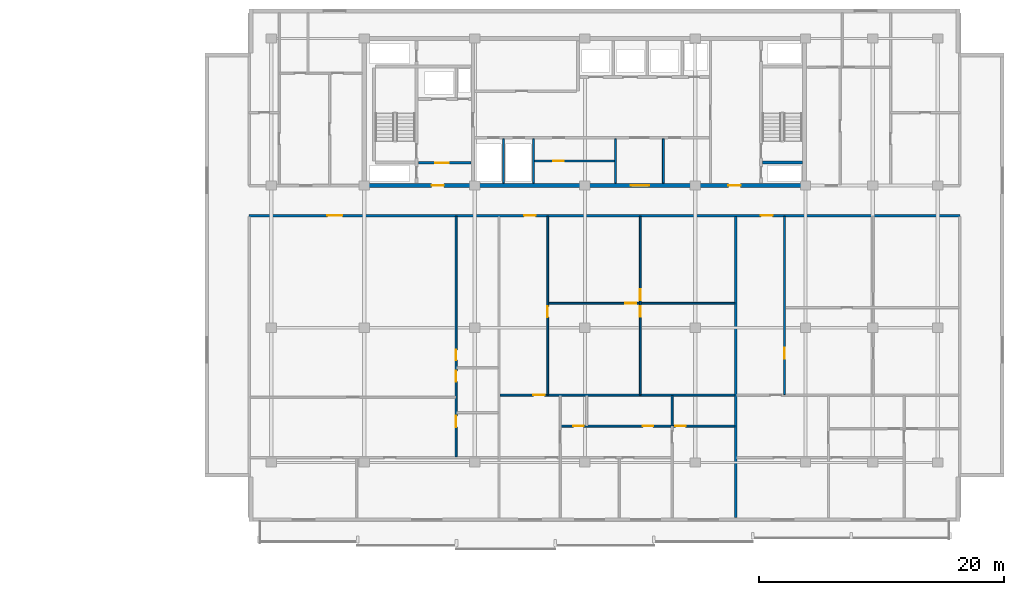
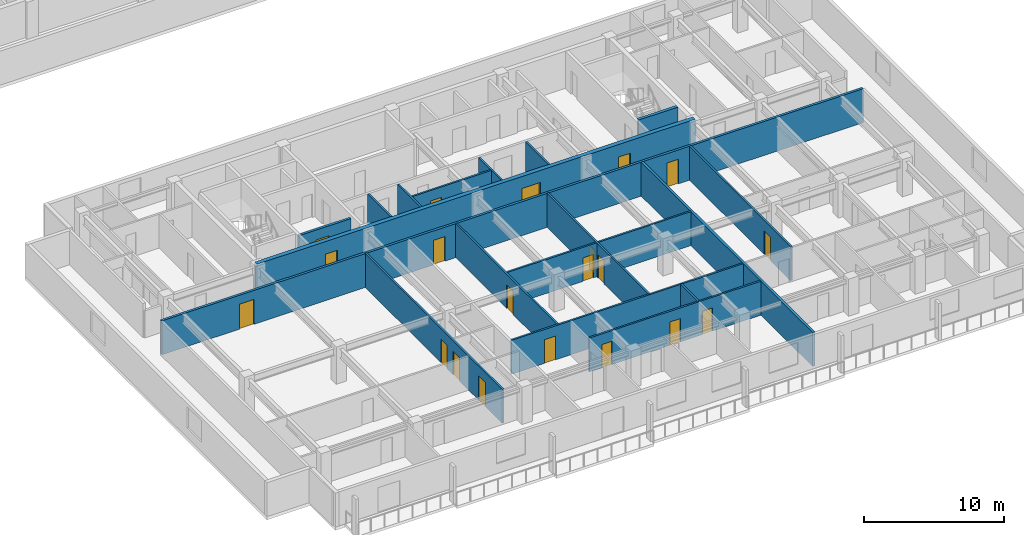
# One storey, part 5 of 21: 20 doors, 18 walls, 20 openings.
"""IFC4 building model written with IfcOpenShell, lengths in metres."""

import ifcopenshell
import ifcopenshell.guid

model = None  # the IFC model being written
_history = None  # IfcOwnerHistory: only IFC2X3 demands one
_inside = {}  # id of a spatial element -> (the spatial element, [elements in it])
_under = {}  # id of a project, library or spatial element -> (it, [spatial elements below it])
_declared = {}  # id of a project -> (the project, [libraries it declares])
_typed = {}  # id of a type object -> (the type object, [elements of that type])
_made_of = {}  # id of a material, layer set ... -> (it, [elements and type objects made of it])


def new_model(schema):
    """Start an empty IFC model of exactly this schema.

    Asked for "IFC4X3", IfcOpenShell would pick the latest addendum, in which some entities
    have other attributes; the version numbers below select the first issue.
    IFC2X3 requires an IfcOwnerHistory on every rooted entity: one is made here for all.
    """
    global model, _history
    if schema == "IFC4X3":
        model = ifcopenshell.file(schema_version=(4, 3, 0, 0))
    else:
        model = ifcopenshell.file(schema=schema)
    _inside.clear()
    _under.clear()
    _declared.clear()
    _typed.clear()
    _made_of.clear()
    _history = None
    if model.schema == "IFC2X3":
        org = make("IfcOrganization", Name="unknown")
        user = make(
            "IfcPersonAndOrganization",
            ThePerson=make("IfcPerson", FamilyName="unknown"),
            TheOrganization=org,
        )
        app = make(
            "IfcApplication",
            ApplicationDeveloper=org,
            Version="unknown",
            ApplicationFullName="unknown",
            ApplicationIdentifier="unknown",
        )
        _history = make(
            "IfcOwnerHistory",
            OwningUser=user,
            OwningApplication=app,
            ChangeAction="ADDED",
            CreationDate=0,
        )
    return model


def make(cls, **values):
    """One entity of the class cls with the attributes given. An attribute that is None is left unset."""
    return model.create_entity(
        cls, **{name: value for name, value in values.items() if value is not None}
    )


def rooted(cls, **values):
    """An entity with a GlobalId (a new one), such as an element, a storey or a relation."""
    return make(cls, GlobalId=ifcopenshell.guid.new(), OwnerHistory=_history, **values)


def si_unit(unit_type, name, prefix=None):
    """IfcSIUnit, for example si_unit("LENGTHUNIT", "METRE", prefix="MILLI")."""
    return make("IfcSIUnit", UnitType=unit_type, Prefix=prefix, Name=name)


def assignment(units):
    """IfcUnitAssignment: the units of a project."""
    return None if units is None else make("IfcUnitAssignment", Units=units)


def point(xyz):
    """IfcCartesianPoint."""
    return None if xyz is None else make("IfcCartesianPoint", Coordinates=xyz)


def direction(xyz):
    """IfcDirection."""
    return None if xyz is None else make("IfcDirection", DirectionRatios=xyz)


def frame(location, z_axis=None, x_axis=None):
    """IfcAxis2Placement3D, a coordinate frame: its origin and axes. An axis left out is left unset."""
    return make(
        "IfcAxis2Placement3D",
        Location=point(location),
        Axis=direction(z_axis),
        RefDirection=direction(x_axis),
    )


def frame_2d(location, x_axis=None):
    """IfcAxis2Placement2D, a coordinate frame in the plane: its origin and x axis."""
    return make(
        "IfcAxis2Placement2D", Location=point(location), RefDirection=direction(x_axis)
    )


def origin():
    """The frame at (0, 0, 0) with its axes left unset."""
    return frame((0.0, 0.0, 0.0))


def place(relative_to, where):
    """IfcLocalPlacement: puts the frame where relative to a parent placement (None: the world)."""
    return make(
        "IfcLocalPlacement", PlacementRelTo=relative_to, RelativePlacement=where
    )


def context(
    kind, dimensions, precision=None, world=None, true_north=None, identifier=None
):
    """IfcGeometricRepresentationContext, for example the 3D "Model" context."""
    return make(
        "IfcGeometricRepresentationContext",
        ContextIdentifier=identifier,
        ContextType=kind,
        CoordinateSpaceDimension=dimensions,
        Precision=precision,
        WorldCoordinateSystem=world,
        TrueNorth=true_north,
    )


def subcontext(parent, identifier, kind, view, scale=None):
    """IfcGeometricRepresentationSubContext, for example "Body" below "Model"."""
    return make(
        "IfcGeometricRepresentationSubContext",
        ContextIdentifier=identifier,
        ContextType=kind,
        ParentContext=parent,
        TargetScale=scale,
        TargetView=view,
    )


def project(units=None, contexts=None):
    """IfcProject with its units and contexts."""
    return rooted(
        "IfcProject",
        Name="project",
        RepresentationContexts=contexts,
        UnitsInContext=assignment(units),
    )


def spatial(cls, under=None, at=None, **own):
    """A site, building, storey or space (cls), placed at a placement, below another one or the project."""
    s = rooted(cls, ObjectPlacement=at, **own)
    if under is not None:
        _under.setdefault(under.id(), (under, []))[1].append(s)
    return s


def profile(cls, at=None, kind="AREA", **sizes):
    """A parametric profile (cls). Its sizes go by their IFC names, for example OverallWidth=200.0."""
    return make(cls, ProfileType=kind, Position=at, **sizes)


def rectangle(**sizes):
    """IfcRectangleProfileDef."""
    return profile("IfcRectangleProfileDef", **sizes)


def extrude(swept, where, along, depth):
    """IfcExtrudedAreaSolid: the profile swept, set in the frame where, extruded along a direction by depth."""
    return make(
        "IfcExtrudedAreaSolid",
        SweptArea=swept,
        Position=where,
        ExtrudedDirection=direction(along),
        Depth=depth,
    )


def shape(context_of_items, identifier, shape_type, items):
    """IfcShapeRepresentation: the items that make up one representation, for example the "Body"."""
    return make(
        "IfcShapeRepresentation",
        ContextOfItems=context_of_items,
        RepresentationIdentifier=identifier,
        RepresentationType=shape_type,
        Items=items,
    )


def material(Name=None, Category=None):
    """IfcMaterial."""
    return make("IfcMaterial", Name=Name, Category=Category)


def layer(
    of_material, thickness, ventilated=None, Name=None, Category=None, Priority=None
):
    """IfcMaterialLayer: one layer of a wall or slab, of a material (None: an air gap)."""
    return make(
        "IfcMaterialLayer",
        Material=of_material,
        LayerThickness=thickness,
        IsVentilated=ventilated,
        Name=Name,
        Category=Category,
        Priority=Priority,
    )


def layer_set(layers, Name=None):
    """IfcMaterialLayerSet."""
    return make("IfcMaterialLayerSet", MaterialLayers=layers, LayerSetName=Name)


def made_of(thing, what):
    """Note that an element or type object is made of a material, layer set ...; save() writes the relation."""
    if what is not None:
        _made_of.setdefault(what.id(), (what, []))[1].append(thing)
    return thing


def type_object(cls, material=None, **own):
    """A type object (cls), such as IfcWallType, which elements share."""
    return made_of(rooted(cls, **own), material)


def element(
    cls,
    number,
    at=None,
    inside=None,
    cuts=None,
    type_object=None,
    material=None,
    context=None,
    identifier="Body",
    shape_type=None,
    held_by="IfcProductDefinitionShape",
    body=None,
    shapes=None,
    **own,
):
    """One element of the class cls, such as IfcWall. Its Tag is "e" and its number.

    at: its placement. inside: the storey or other place that contains it. cuts: it is an
    opening in that element (IfcRelVoidsElement). A single representation is given by context,
    identifier, shape_type and body (its items); several are given by shapes. held_by: the class
    of the entity that holds the representations. save() writes the other relations.
    """
    e = rooted(cls, Tag="e%d" % number, ObjectPlacement=at, **own)
    if body is not None:
        shapes = [shape(context, identifier, shape_type, body)]
    if shapes is not None:
        e.Representation = make(held_by, Representations=shapes)
    if inside is not None:
        _inside.setdefault(inside.id(), (inside, []))[1].append(e)
    if cuts is not None:
        rooted(
            "IfcRelVoidsElement", RelatingBuildingElement=cuts, RelatedOpeningElement=e
        )
    if type_object is not None:
        _typed.setdefault(type_object.id(), (type_object, []))[1].append(e)
    return made_of(e, material)


def fill(opening, filler):
    """IfcRelFillsElement: the door or window that sits in an opening."""
    return rooted(
        "IfcRelFillsElement",
        RelatingOpeningElement=opening,
        RelatedBuildingElement=filler,
    )


def aggregate(whole, parts):
    """IfcRelAggregates: a whole, such as a stair, and the parts it consists of."""
    return rooted("IfcRelAggregates", RelatingObject=whole, RelatedObjects=parts)


def save(model, path):
    """Write the relations noted so far, then the file.

    IfcRelAggregates (storeys below a building ...), IfcRelContainedInSpatialStructure (elements
    in a storey), IfcRelDefinesByType, IfcRelAssociatesMaterial and IfcRelDeclares: one each for
    every whole, place, type object, material and project.
    """
    for whole, parts in _under.values():
        aggregate(whole, parts)
    for where, things in _inside.values():
        rooted(
            "IfcRelContainedInSpatialStructure",
            RelatedElements=things,
            RelatingStructure=where,
        )
    for kind, things in _typed.values():
        rooted("IfcRelDefinesByType", RelatedObjects=things, RelatingType=kind)
    for what, things in _made_of.values():
        rooted("IfcRelAssociatesMaterial", RelatedObjects=things, RelatingMaterial=what)
    for by, libraries in _declared.values():
        rooted("IfcRelDeclares", RelatingContext=by, RelatedDefinitions=libraries)
    model.write(path)


model = new_model("IFC4")

# Units and contexts
model_context = context("Model", 3, precision=1e-05, world=origin(), true_north=direction((0.0, 1.0)))
body_context = subcontext(model_context, "Body", "Model", "MODEL_VIEW")
ifc_project = project(units=[si_unit("LENGTHUNIT", "METRE"), si_unit("AREAUNIT", "SQUARE_METRE"), si_unit("VOLUMEUNIT", "CUBIC_METRE"), si_unit("PLANEANGLEUNIT", "RADIAN"), si_unit("MASSUNIT", "GRAM", prefix="KILO")], contexts=[model_context])

# Site, building, storey
site_placement = place(None, origin())
site = spatial("IfcSite", under=ifc_project, at=site_placement, CompositionType="ELEMENT")
building_placement = place(site_placement, origin())
building = spatial("IfcBuilding", under=site, at=building_placement, Name="Korimba Cascade Residences", CompositionType="ELEMENT")
storey_placement = place(building_placement, frame((0.0, 0.0, 119.800048828125)))
storey = spatial("IfcBuildingStorey", under=building, at=storey_placement, Name="L34", CompositionType="ELEMENT", Elevation=119.800048828125)

# Wall, openings, doors
ifc_material_1 = material(Name="Concrete C65/80", Category="concrete")
ifc_layer_1 = layer(ifc_material_1, 0.35009765625)
ifc_layer_set_1 = layer_set([ifc_layer_1], Name="Concrete C65/80")
wall_type_1 = type_object("IfcWallType", Name="WAL-CORE-350", PredefinedType="SHEAR", material=ifc_layer_set_1)
wall_1_placement = place(storey_placement, frame((81.925048828125, 18.39990234375, 0.0), z_axis=(0.0, 0.0, 1.0), x_axis=(1.0, 0.0, 0.0)))
wall_1 = element("IfcWall", 1, at=wall_1_placement, inside=storey, type_object=wall_type_1, Name="L34 Core Shear Wall CW-L34-T2-S", PredefinedType="SHEAR", context=body_context, shape_type="SweptSolid", body=[
    extrude(rectangle(XDim=36.264892578125, YDim=0.35009765625, at=frame_2d((18.13232421875, 0.0))), origin(), (0.0, 0.0, 1.0), 3.25),
])
opening_1_placement = place(wall_1_placement, frame((5.675048828125, 0.0, 0.0)))
opening_1 = element("IfcOpeningElement", 2, at=opening_1_placement, cuts=wall_1, Name="Opening D-FD5", PredefinedType="OPENING", context=body_context, shape_type="SweptSolid", body=[
    extrude(rectangle(XDim=1.0, YDim=2.14990234375, at=frame_2d((0.5, 1.074951171875))), frame((0.0, 0.18505859375, 0.0), z_axis=(0.0, -1.0, 0.0), x_axis=(1.0, 0.0, 0.0)), (0.0, 0.0, 1.0), 0.3701171875),
])
opening_2_placement = place(wall_1_placement, frame((21.925048828125, 0.0, 0.0)))
opening_2 = element("IfcOpeningElement", 3, at=opening_2_placement, cuts=wall_1, Name="Opening D-FD8", PredefinedType="OPENING", context=body_context, shape_type="SweptSolid", body=[
    extrude(rectangle(XDim=1.5, YDim=2.199951171875, at=frame_2d((0.75, 1.10009765625))), frame((0.0, 0.18505859375, 0.0), z_axis=(0.0, -1.0, 0.0), x_axis=(1.0, 0.0, 0.0)), (0.0, 0.0, 1.0), 0.3701171875),
])
opening_3_placement = place(wall_1_placement, frame((29.875, 0.0, 0.0)))
opening_3 = element("IfcOpeningElement", 4, at=opening_3_placement, cuts=wall_1, Name="Opening D-FD5", PredefinedType="OPENING", context=body_context, shape_type="SweptSolid", body=[
    extrude(rectangle(XDim=1.0, YDim=2.14990234375, at=frame_2d((0.5, 1.074951171875))), frame((0.0, 0.18505859375, 0.0), z_axis=(0.0, -1.0, 0.0), x_axis=(1.0, 0.0, 0.0)), (0.0, 0.0, 1.0), 0.3701171875),
])
ifc_material_2 = material(Name="Fire-Rated Acoustic Timber Vestibule Door", Category="wood")
door_type_1 = type_object("IfcDoorType", Name="DR-FD90-1000", OperationType="NOTDEFINED", PredefinedType="DOOR", material=ifc_material_2)
door_1_placement = place(opening_1_placement, origin())
door_1 = element("IfcDoor", 5, at=door_1_placement, inside=storey, type_object=door_type_1, Name="L34 T2 West Core Vestibule Fire Door", OperationType="SINGLE_SWING_LEFT", OverallHeight=2.14990234375, OverallWidth=1.0, PredefinedType="DOOR", context=body_context, shape_type="SweptSolid", body=[
    extrude(rectangle(XDim=1.0, YDim=2.14990234375, at=frame_2d((0.5, 1.074951171875))), frame((0.0, 0.02490234375, 0.0), z_axis=(0.0, -1.0, 0.0), x_axis=(1.0, 0.0, 0.0)), (0.0, 0.0, 1.0), 0.050048828125),
])
fill(opening_1, door_1)
door_2_placement = place(opening_3_placement, origin())
door_2 = element("IfcDoor", 6, at=door_2_placement, inside=storey, type_object=door_type_1, Name="L34 T2 East Stair Vestibule Fire Door", OperationType="SINGLE_SWING_RIGHT", OverallHeight=2.14990234375, OverallWidth=1.0, PredefinedType="DOOR", context=body_context, shape_type="SweptSolid", body=[
    extrude(rectangle(XDim=1.0, YDim=2.14990234375, at=frame_2d((0.5, 1.074951171875))), frame((0.0, 0.02490234375, 0.0), z_axis=(0.0, -1.0, 0.0), x_axis=(1.0, 0.0, 0.0)), (0.0, 0.0, 1.0), 0.050048828125),
])
fill(opening_3, door_2)
ifc_material_3 = material(Name="Fire-Rated Glazed Lift Lobby Double Door", Category="glass")
door_type_2 = type_object("IfcDoorType", Name="DR-FD90-1500", OperationType="NOTDEFINED", PredefinedType="DOOR", material=ifc_material_3)
door_3_placement = place(opening_2_placement, origin())
door_3 = element("IfcDoor", 7, at=door_3_placement, inside=storey, type_object=door_type_2, Name="L34 T2 Lift Lobby Fire Door", OperationType="DOUBLE_DOOR_SINGLE_SWING", OverallHeight=2.199951171875, OverallWidth=1.5, PredefinedType="DOOR", context=body_context, shape_type="SweptSolid", body=[
    extrude(rectangle(XDim=1.5, YDim=2.199951171875, at=frame_2d((0.75, 1.10009765625))), frame((0.0, 0.02490234375, 0.0), z_axis=(0.0, -1.0, 0.0), x_axis=(1.0, 0.0, 0.0)), (0.0, 0.0, 1.0), 0.050048828125),
])
fill(opening_2, door_3)

# Wall
ifc_material_4 = material(Name="Precast concrete C40/50", Category="concrete")
ifc_layer_2 = layer(ifc_material_4, 0.199951171875)
ifc_layer_set_2 = layer_set([ifc_layer_2], Name="Precast concrete C40/50")
wall_type_2 = type_object("IfcWallType", Name="WAL-IT-200", PredefinedType="PARTITIONING", material=ifc_layer_set_2)
wall_2_placement = place(storey_placement, frame((112.422607421875, -8.699951171875, 0.0), z_axis=(0.0, 0.0, 1.0), x_axis=(0.0, 1.0, 0.0)))
element("IfcWall", 8, at=wall_2_placement, inside=storey, type_object=wall_type_2, Name="L34 Partition Wall WAL-L34-T2-DEM-2", PredefinedType="PARTITIONING", context=body_context, shape_type="SweptSolid", body=[
    extrude(rectangle(XDim=24.570068359375, YDim=0.199951171875, at=frame_2d((12.28515625, 0.0))), origin(), (0.0, 0.0, 1.0), 2.969970703125),
])

# Wall, openings, doors
wall_3_placement = place(storey_placement, frame((72.699951171875, 15.949951171875, 0.0), z_axis=(0.0, 0.0, 1.0), x_axis=(1.0, 0.0, 0.0)))
wall_3 = element("IfcWall", 9, at=wall_3_placement, inside=storey, type_object=wall_type_2, Name="L34 Partition Wall WAL-L34-T2-CORS", PredefinedType="PARTITIONING", context=body_context, shape_type="SweptSolid", body=[
    extrude(rectangle(XDim=58.0, YDim=0.199951171875, at=frame_2d((29.0, 0.0))), origin(), (0.0, 0.0, 1.0), 2.969970703125),
])
opening_4_placement = place(wall_3_placement, frame((6.390380859375, 0.0, 0.0)))
opening_4 = element("IfcOpeningElement", 10, at=opening_4_placement, cuts=wall_3, Name="Opening D-AM1", PredefinedType="OPENING", context=body_context, shape_type="SweptSolid", body=[
    extrude(rectangle(XDim=1.219970703125, YDim=2.179931640625, at=frame_2d((0.60986328125, 1.08984375))), frame((0.0, 0.10986328125, 0.0), z_axis=(0.0, -1.0, 0.0), x_axis=(1.0, 0.0, 0.0)), (0.0, 0.0, 1.0), 0.219970703125),
])
opening_5_placement = place(wall_3_placement, frame((22.435791015625, 0.0, 0.0)))
opening_5 = element("IfcOpeningElement", 11, at=opening_5_placement, cuts=wall_3, Name="Opening D-UN1", PredefinedType="OPENING", context=body_context, shape_type="SweptSolid", body=[
    extrude(rectangle(XDim=0.949951171875, YDim=2.14990234375, at=frame_2d((0.47509765625, 1.074951171875))), frame((0.0, 0.10986328125, 0.0), z_axis=(0.0, -1.0, 0.0), x_axis=(1.0, 0.0, 0.0)), (0.0, 0.0, 1.0), 0.219970703125),
])
opening_6_placement = place(wall_3_placement, frame((41.767578125, 0.0, 0.0)))
opening_6 = element("IfcOpeningElement", 12, at=opening_6_placement, cuts=wall_3, Name="Opening D-UN1", PredefinedType="OPENING", context=body_context, shape_type="SweptSolid", body=[
    extrude(rectangle(XDim=0.949951171875, YDim=2.14990234375, at=frame_2d((0.47509765625, 1.074951171875))), frame((0.0, 0.10986328125, 0.0), z_axis=(0.0, -1.0, 0.0), x_axis=(1.0, 0.0, 0.0)), (0.0, 0.0, 1.0), 0.219970703125),
])
ifc_material_5 = material(Name="Fire-Rated Glazed Timber Suite Door", Category="wood")
door_type_3 = type_object("IfcDoorType", Name="DR-FD60-1200", OperationType="NOTDEFINED", PredefinedType="DOOR", material=ifc_material_5)
door_4_placement = place(opening_4_placement, origin())
door_4 = element("IfcDoor", 13, at=door_4_placement, inside=storey, type_object=door_type_3, Name="L34-T2-U01 Health Consultation Clinic Door", OperationType="SINGLE_SWING_RIGHT", OverallHeight=2.179931640625, OverallWidth=1.219970703125, PredefinedType="DOOR", context=body_context, shape_type="SweptSolid", body=[
    extrude(rectangle(XDim=1.219970703125, YDim=2.179931640625, at=frame_2d((0.60986328125, 1.08984375))), frame((0.0, 0.02490234375, 0.0), z_axis=(0.0, -1.0, 0.0), x_axis=(1.0, 0.0, 0.0)), (0.0, 0.0, 1.0), 0.050048828125),
])
fill(opening_4, door_4)
ifc_material_6 = material(Name="Fire-Rated Hardwood Apartment Entrance Door", Category="wood")
door_type_4 = type_object("IfcDoorType", Name="DR-FD60-950", OperationType="NOTDEFINED", PredefinedType="DOOR", material=ifc_material_6)
door_5_placement = place(opening_5_placement, origin())
door_5 = element("IfcDoor", 14, at=door_5_placement, inside=storey, type_object=door_type_4, Name="Unit L34-T2-U02 Entrance Door", OperationType="SINGLE_SWING_LEFT", OverallHeight=2.14990234375, OverallWidth=0.949951171875, PredefinedType="DOOR", context=body_context, shape_type="SweptSolid", body=[
    extrude(rectangle(XDim=0.949951171875, YDim=2.14990234375, at=frame_2d((0.47509765625, 1.074951171875))), frame((0.0, 0.02490234375, 0.0), z_axis=(0.0, -1.0, 0.0), x_axis=(1.0, 0.0, 0.0)), (0.0, 0.0, 1.0), 0.050048828125),
])
fill(opening_5, door_5)
door_6_placement = place(opening_6_placement, origin())
door_6 = element("IfcDoor", 15, at=door_6_placement, inside=storey, type_object=door_type_4, Name="Unit L34-T2-U03 Entrance Door", OperationType="SINGLE_SWING_RIGHT", OverallHeight=2.14990234375, OverallWidth=0.949951171875, PredefinedType="DOOR", context=body_context, shape_type="SweptSolid", body=[
    extrude(rectangle(XDim=0.949951171875, YDim=2.14990234375, at=frame_2d((0.47509765625, 1.074951171875))), frame((0.0, 0.02490234375, 0.0), z_axis=(0.0, -1.0, 0.0), x_axis=(1.0, 0.0, 0.0)), (0.0, 0.0, 1.0), 0.050048828125),
])
fill(opening_6, door_6)

# Walls
ifc_material_7 = material(Name="Insulated Acoustic Stud Partition", Category="gypsum")
ifc_layer_3 = layer(ifc_material_7, 0.14990234375)
ifc_layer_set_3 = layer_set([ifc_layer_3], Name="Insulated Acoustic Stud Partition")
wall_type_3 = type_object("IfcWallType", Name="WAL-PART-150", PredefinedType="PARTITIONING", material=ifc_layer_set_3)
for number, where, z_axis, x_axis, name in (
    (16, (93.449951171875, 18.60009765625, 0.0), (0.0, 0.0, 1.0), (0.0, 1.0, 0.0), "L34 Partition Wall CW-L34-T2-ERDIV"),
    (17, (95.89990234375, 18.60009765625, 0.0), (0.0, 0.0, 1.0), (0.0, 1.0, 0.0), "L34 Partition Wall CW-L34-T2-PRDIV"),
):
    element("IfcWall", number, at=place(storey_placement, frame(where, z_axis=z_axis, x_axis=x_axis)), inside=storey, type_object=wall_type_3, Name=name, PredefinedType="PARTITIONING", context=body_context, shape_type="SweptSolid", body=[
        extrude(rectangle(XDim=3.599853515625, YDim=0.14990234375, at=frame_2d((1.7998046875, 0.0))), origin(), (0.0, 0.0, 1.0), 2.969970703125),
    ])

# Wall, opening, door
wall_4_placement = place(storey_placement, frame((95.89990234375, 20.39990234375, 0.0), z_axis=(0.0, 0.0, 1.0), x_axis=(1.0, 0.0, 0.0)))
wall_4 = element("IfcWall", 18, at=wall_4_placement, inside=storey, type_object=wall_type_3, Name="L34 Partition Wall CW-L34-T2-CA2HZ", PredefinedType="PARTITIONING", context=body_context, shape_type="SweptSolid", body=[
    extrude(rectangle(XDim=6.7001953125, YDim=0.14990234375, at=frame_2d((3.35009765625, 0.0))), origin(), (0.0, 0.0, 1.0), 2.969970703125),
])
opening_7_placement = place(wall_4_placement, frame((1.60009765625, 0.0, 0.0)))
opening_7 = element("IfcOpeningElement", 19, at=opening_7_placement, cuts=wall_4, Name="Opening D-IN2", PredefinedType="OPENING", context=body_context, shape_type="SweptSolid", body=[
    extrude(rectangle(XDim=0.8798828125, YDim=2.06005859375, at=frame_2d((0.43994140625, 1.030029296875))), frame((0.0, 0.0849609375, 0.0), z_axis=(0.0, -1.0, 0.0), x_axis=(1.0, 0.0, 0.0)), (0.0, 0.0, 1.0), 0.169921875),
])
ifc_material_8 = material(Name="Acoustic Timber Bedroom Door", Category="wood")
door_type_5 = type_object("IfcDoorType", Name="DR-INT-880", OperationType="NOTDEFINED", PredefinedType="DOOR", material=ifc_material_8)
door_7_placement = place(opening_7_placement, origin())
door_7 = element("IfcDoor", 20, at=door_7_placement, inside=storey, type_object=door_type_5, Name="L34 T2 Pram Store Door", OperationType="SINGLE_SWING_LEFT", OverallHeight=2.06005859375, OverallWidth=0.8798828125, PredefinedType="DOOR", context=body_context, shape_type="SweptSolid", body=[
    extrude(rectangle(XDim=0.8798828125, YDim=2.06005859375, at=frame_2d((0.43994140625, 1.030029296875))), frame((0.0, 0.02490234375, 0.0), z_axis=(0.0, -1.0, 0.0), x_axis=(1.0, 0.0, 0.0)), (0.0, 0.0, 1.0), 0.050048828125),
])
fill(opening_7, door_7)

# Walls
for number, where, z_axis, x_axis, name in (
    (21, (102.60009765625, 18.60009765625, 0.0), (0.0, 0.0, 1.0), (0.0, 1.0, 0.0), "L34 Partition Wall CW-L34-T2-THW"),
    (22, (106.5, 18.60009765625, 0.0), (0.0, 0.0, 1.0), (0.0, 1.0, 0.0), "L34 Partition Wall CW-L34-T2-THE"),
):
    element("IfcWall", number, at=place(storey_placement, frame(where, z_axis=z_axis, x_axis=x_axis)), inside=storey, type_object=wall_type_3, Name=name, PredefinedType="PARTITIONING", context=body_context, shape_type="SweptSolid", body=[
        extrude(rectangle(XDim=3.599853515625, YDim=0.14990234375, at=frame_2d((1.7998046875, 0.0))), origin(), (0.0, 0.0, 1.0), 2.969970703125),
    ])

# Wall, openings, doors
wall_5_placement = place(storey_placement, frame((89.5908203125, -3.739990234375, 0.0), z_axis=(0.0, 0.0, 1.0), x_axis=(0.0, 1.0, 0.0)))
wall_5 = element("IfcWall", 23, at=wall_5_placement, inside=storey, type_object=wall_type_3, Name="L34 Partition Wall WAL-L34-T2-U01-WCV", PredefinedType="PARTITIONING", context=body_context, shape_type="SweptSolid", body=[
    extrude(rectangle(XDim=19.6298828125, YDim=0.14990234375, at=frame_2d((9.81494140625, 0.0))), origin(), (0.0, 0.0, 1.0), 2.969970703125),
])
opening_8_placement = place(wall_5_placement, frame((2.406005859375, 0.0, 0.0)))
opening_8 = element("IfcOpeningElement", 24, at=opening_8_placement, cuts=wall_5, Name="Opening D-AC1", PredefinedType="OPENING", context=body_context, shape_type="SweptSolid", body=[
    extrude(rectangle(XDim=0.9599609375, YDim=2.10009765625, at=frame_2d((0.47998046875, 1.050048828125))), frame((0.0, 0.0849609375, 0.0), z_axis=(0.0, -1.0, 0.0), x_axis=(1.0, 0.0, 0.0)), (0.0, 0.0, 1.0), 0.169921875),
])
opening_9_placement = place(wall_5_placement, frame((6.132568359375, 0.0, 0.0)))
opening_9 = element("IfcOpeningElement", 25, at=opening_9_placement, cuts=wall_5, Name="Opening D-IN2", PredefinedType="OPENING", context=body_context, shape_type="SweptSolid", body=[
    extrude(rectangle(XDim=0.8798828125, YDim=2.06005859375, at=frame_2d((0.43994140625, 1.030029296875))), frame((0.0, 0.0849609375, 0.0), z_axis=(0.0, -1.0, 0.0), x_axis=(1.0, 0.0, 0.0)), (0.0, 0.0, 1.0), 0.169921875),
])
opening_10_placement = place(wall_5_placement, frame((7.90283203125, 0.0, 0.0)))
opening_10 = element("IfcOpeningElement", 26, at=opening_10_placement, cuts=wall_5, Name="Opening D-BT1", PredefinedType="OPENING", context=body_context, shape_type="SweptSolid", body=[
    extrude(rectangle(XDim=0.840087890625, YDim=2.0400390625, at=frame_2d((0.419921875, 1.02001953125))), frame((0.0, 0.0849609375, 0.0), z_axis=(0.0, -1.0, 0.0), x_axis=(1.0, 0.0, 0.0)), (0.0, 0.0, 1.0), 0.169921875),
])
ifc_material_9 = material(Name="Accessible Acoustic Timber WC Door", Category="wood")
door_type_6 = type_object("IfcDoorType", Name="DR-ACC-950", OperationType="NOTDEFINED", PredefinedType="DOOR", material=ifc_material_9)
door_8_placement = place(opening_8_placement, origin())
door_8 = element("IfcDoor", 27, at=door_8_placement, inside=storey, type_object=door_type_6, Name="L34-T2-U01 Accessible WC Door", OperationType="SINGLE_SWING_LEFT", OverallHeight=2.10009765625, OverallWidth=0.9599609375, PredefinedType="DOOR", context=body_context, shape_type="SweptSolid", body=[
    extrude(rectangle(XDim=0.9599609375, YDim=2.10009765625, at=frame_2d((0.47998046875, 1.050048828125))), frame((0.0, 0.02490234375, 0.0), z_axis=(0.0, -1.0, 0.0), x_axis=(1.0, 0.0, 0.0)), (0.0, 0.0, 1.0), 0.050048828125),
])
fill(opening_8, door_8)
ifc_material_10 = material(Name="Moisture-Resistant Bathroom Timber Door", Category="wood")
door_type_7 = type_object("IfcDoorType", Name="DR-INT-850", OperationType="NOTDEFINED", PredefinedType="DOOR", material=ifc_material_10)
door_9_placement = place(opening_10_placement, origin())
door_9 = element("IfcDoor", 28, at=door_9_placement, inside=storey, type_object=door_type_7, Name="L34-T2-U01 Suite Store Door", OperationType="SINGLE_SWING_LEFT", OverallHeight=2.0400390625, OverallWidth=0.840087890625, PredefinedType="DOOR", context=body_context, shape_type="SweptSolid", body=[
    extrude(rectangle(XDim=0.840087890625, YDim=2.0400390625, at=frame_2d((0.419921875, 1.02001953125))), frame((0.0, 0.02490234375, 0.0), z_axis=(0.0, -1.0, 0.0), x_axis=(1.0, 0.0, 0.0)), (0.0, 0.0, 1.0), 0.050048828125),
])
fill(opening_10, door_9)
door_10_placement = place(opening_9_placement, origin())
door_10 = element("IfcDoor", 29, at=door_10_placement, inside=storey, type_object=door_type_5, Name="L34-T2-U01 Restroom WC Door", OperationType="SINGLE_SWING_RIGHT", OverallHeight=2.06005859375, OverallWidth=0.8798828125, PredefinedType="DOOR", context=body_context, shape_type="SweptSolid", body=[
    extrude(rectangle(XDim=0.8798828125, YDim=2.06005859375, at=frame_2d((0.43994140625, 1.030029296875))), frame((0.0, 0.02490234375, 0.0), z_axis=(0.0, -1.0, 0.0), x_axis=(1.0, 0.0, 0.0)), (0.0, 0.0, 1.0), 0.050048828125),
])
fill(opening_9, door_10)

wall_6_placement = place(storey_placement, frame((104.61181640625, 1.340087890625, 0.0), z_axis=(0.0, 0.0, 1.0), x_axis=(0.0, 1.0, 0.0)))
wall_6 = element("IfcWall", 30, at=wall_6_placement, inside=storey, type_object=wall_type_3, Name="L34 Partition Wall WAL-L34-T2-U02-FMV", PredefinedType="PARTITIONING", context=body_context, shape_type="SweptSolid", body=[
    extrude(rectangle(XDim=14.5498046875, YDim=0.14990234375, at=frame_2d((7.27490234375, 0.0))), origin(), (0.0, 0.0, 1.0), 2.969970703125),
])
opening_11_placement = place(wall_6_placement, frame((6.364990234375, 0.0, 0.0)))
opening_11 = element("IfcOpeningElement", 31, at=opening_11_placement, cuts=wall_6, Name="Opening D-BT1", PredefinedType="OPENING", context=body_context, shape_type="SweptSolid", body=[
    extrude(rectangle(XDim=0.840087890625, YDim=2.0400390625, at=frame_2d((0.419921875, 1.02001953125))), frame((0.0, 0.0849609375, 0.0), z_axis=(0.0, -1.0, 0.0), x_axis=(1.0, 0.0, 0.0)), (0.0, 0.0, 1.0), 0.169921875),
])
opening_12_placement = place(wall_6_placement, frame((7.705078125, 0.0, 0.0)))
opening_12 = element("IfcOpeningElement", 32, at=opening_12_placement, cuts=wall_6, Name="Opening D-IN2", PredefinedType="OPENING", context=body_context, shape_type="SweptSolid", body=[
    extrude(rectangle(XDim=0.8798828125, YDim=2.06005859375, at=frame_2d((0.43994140625, 1.030029296875))), frame((0.0, 0.0849609375, 0.0), z_axis=(0.0, -1.0, 0.0), x_axis=(1.0, 0.0, 0.0)), (0.0, 0.0, 1.0), 0.169921875),
])
door_11_placement = place(opening_11_placement, origin())
door_11 = element("IfcDoor", 33, at=door_11_placement, inside=storey, type_object=door_type_7, Name="L34-T2-U02 Wardrobe Door", OperationType="SINGLE_SWING_RIGHT", OverallHeight=2.0400390625, OverallWidth=0.840087890625, PredefinedType="DOOR", context=body_context, shape_type="SweptSolid", body=[
    extrude(rectangle(XDim=0.840087890625, YDim=2.0400390625, at=frame_2d((0.419921875, 1.02001953125))), frame((0.0, 0.02490234375, 0.0), z_axis=(0.0, -1.0, 0.0), x_axis=(1.0, 0.0, 0.0)), (0.0, 0.0, 1.0), 0.050048828125),
])
fill(opening_11, door_11)
door_12_placement = place(opening_12_placement, origin())
door_12 = element("IfcDoor", 34, at=door_12_placement, inside=storey, type_object=door_type_5, Name="L34-T2-U02 Music Lounge Door", OperationType="SINGLE_SWING_LEFT", OverallHeight=2.06005859375, OverallWidth=0.8798828125, PredefinedType="DOOR", context=body_context, shape_type="SweptSolid", body=[
    extrude(rectangle(XDim=0.8798828125, YDim=2.06005859375, at=frame_2d((0.43994140625, 1.030029296875))), frame((0.0, 0.02490234375, 0.0), z_axis=(0.0, -1.0, 0.0), x_axis=(1.0, 0.0, 0.0)), (0.0, 0.0, 1.0), 0.050048828125),
])
fill(opening_12, door_12)

# Wall, opening, door
wall_7_placement = place(storey_placement, frame((97.120849609375, 8.794921875, 0.0), z_axis=(0.0, 0.0, 1.0), x_axis=(1.0, 0.0, 0.0)))
wall_7 = element("IfcWall", 35, at=wall_7_placement, inside=storey, type_object=wall_type_3, Name="L34 Partition Wall WAL-L34-T2-U02-FMH", PredefinedType="PARTITIONING", context=body_context, shape_type="SweptSolid", body=[
    extrude(rectangle(XDim=15.221923828125, YDim=0.14990234375, at=frame_2d((7.61083984375, 0.0))), origin(), (0.0, 0.0, 1.0), 2.969970703125),
])
opening_13_placement = place(wall_7_placement, frame((6.27001953125, 0.0, 0.0)))
opening_13 = element("IfcOpeningElement", 36, at=opening_13_placement, cuts=wall_7, Name="Opening D-IN2", PredefinedType="OPENING", context=body_context, shape_type="SweptSolid", body=[
    extrude(rectangle(XDim=0.8798828125, YDim=2.06005859375, at=frame_2d((0.43994140625, 1.030029296875))), frame((0.0, 0.0849609375, 0.0), z_axis=(0.0, -1.0, 0.0), x_axis=(1.0, 0.0, 0.0)), (0.0, 0.0, 1.0), 0.169921875),
])
door_13_placement = place(opening_13_placement, origin())
door_13 = element("IfcDoor", 37, at=door_13_placement, inside=storey, type_object=door_type_5, Name="L34-T2-U02 Library Salon Door", OperationType="SINGLE_SWING_RIGHT", OverallHeight=2.06005859375, OverallWidth=0.8798828125, PredefinedType="DOOR", context=body_context, shape_type="SweptSolid", body=[
    extrude(rectangle(XDim=0.8798828125, YDim=2.06005859375, at=frame_2d((0.43994140625, 1.030029296875))), frame((0.0, 0.02490234375, 0.0), z_axis=(0.0, -1.0, 0.0), x_axis=(1.0, 0.0, 0.0)), (0.0, 0.0, 1.0), 0.050048828125),
])
fill(opening_13, door_13)

wall_8_placement = place(storey_placement, frame((97.060791015625, 1.340087890625, 0.0), z_axis=(0.0, 0.0, 1.0), x_axis=(0.0, 1.0, 0.0)))
wall_8 = element("IfcWall", 38, at=wall_8_placement, inside=storey, type_object=wall_type_3, Name="L34 Partition Wall WAL-L34-T2-U02-FV", PredefinedType="PARTITIONING", context=body_context, shape_type="SweptSolid", body=[
    extrude(rectangle(XDim=14.5498046875, YDim=0.14990234375, at=frame_2d((7.27490234375, 0.0))), origin(), (0.0, 0.0, 1.0), 2.969970703125),
])
opening_14_placement = place(wall_8_placement, frame((6.324951171875, 0.0, 0.0)))
opening_14 = element("IfcOpeningElement", 39, at=opening_14_placement, cuts=wall_8, Name="Opening D-IN2", PredefinedType="OPENING", context=body_context, shape_type="SweptSolid", body=[
    extrude(rectangle(XDim=0.8798828125, YDim=2.06005859375, at=frame_2d((0.43994140625, 1.030029296875))), frame((0.0, 0.0849609375, 0.0), z_axis=(0.0, -1.0, 0.0), x_axis=(1.0, 0.0, 0.0)), (0.0, 0.0, 1.0), 0.169921875),
])
door_14_placement = place(opening_14_placement, origin())
door_14 = element("IfcDoor", 40, at=door_14_placement, inside=storey, type_object=door_type_5, Name="L34-T2-U02 Media Lounge Door", OperationType="SINGLE_SWING_LEFT", OverallHeight=2.06005859375, OverallWidth=0.8798828125, PredefinedType="DOOR", context=body_context, shape_type="SweptSolid", body=[
    extrude(rectangle(XDim=0.8798828125, YDim=2.06005859375, at=frame_2d((0.43994140625, 1.030029296875))), frame((0.0, 0.02490234375, 0.0), z_axis=(0.0, -1.0, 0.0), x_axis=(1.0, 0.0, 0.0)), (0.0, 0.0, 1.0), 0.050048828125),
])
fill(opening_14, door_14)

# Wall
wall_9_placement = place(storey_placement, frame((107.219970703125, -1.2099609375, 0.0), z_axis=(0.0, 0.0, 1.0), x_axis=(0.0, 1.0, 0.0)))
element("IfcWall", 41, at=wall_9_placement, inside=storey, type_object=wall_type_3, Name="L34 Partition Wall WAL-L34-T2-U02-VBATH", PredefinedType="PARTITIONING", context=body_context, shape_type="SweptSolid", body=[
    extrude(rectangle(XDim=2.469970703125, YDim=0.14990234375, at=frame_2d((1.23486328125, 0.0))), origin(), (0.0, 0.0, 1.0), 2.969970703125),
])

# Wall, openings, doors
wall_10_placement = place(storey_placement, frame((98.130859375, -1.22998046875, 0.0), z_axis=(0.0, 0.0, 1.0), x_axis=(1.0, 0.0, 0.0)))
wall_10 = element("IfcWall", 42, at=wall_10_placement, inside=storey, type_object=wall_type_3, Name="L34 Partition Wall WAL-L34-T2-U02-HWALL", PredefinedType="PARTITIONING", context=body_context, shape_type="SweptSolid", body=[
    extrude(rectangle(XDim=14.2119140625, YDim=0.14990234375, at=frame_2d((7.10595703125, 0.0))), origin(), (0.0, 0.0, 1.0), 2.969970703125),
])
opening_15_placement = place(wall_10_placement, frame((1.033935546875, 0.0, 0.0)))
opening_15 = element("IfcOpeningElement", 43, at=opening_15_placement, cuts=wall_10, Name="Opening D-BT1", PredefinedType="OPENING", context=body_context, shape_type="SweptSolid", body=[
    extrude(rectangle(XDim=0.840087890625, YDim=2.0400390625, at=frame_2d((0.419921875, 1.02001953125))), frame((0.0, 0.0849609375, 0.0), z_axis=(0.0, -1.0, 0.0), x_axis=(1.0, 0.0, 0.0)), (0.0, 0.0, 1.0), 0.169921875),
])
opening_16_placement = place(wall_10_placement, frame((6.685791015625, 0.0, 0.0)))
opening_16 = element("IfcOpeningElement", 44, at=opening_16_placement, cuts=wall_10, Name="Opening D-BT1", PredefinedType="OPENING", context=body_context, shape_type="SweptSolid", body=[
    extrude(rectangle(XDim=0.840087890625, YDim=2.0400390625, at=frame_2d((0.419921875, 1.02001953125))), frame((0.0, 0.0849609375, 0.0), z_axis=(0.0, -1.0, 0.0), x_axis=(1.0, 0.0, 0.0)), (0.0, 0.0, 1.0), 0.169921875),
])
opening_17_placement = place(wall_10_placement, frame((9.339111328125, 0.0, 0.0)))
opening_17 = element("IfcOpeningElement", 45, at=opening_17_placement, cuts=wall_10, Name="Opening D-BT1", PredefinedType="OPENING", context=body_context, shape_type="SweptSolid", body=[
    extrude(rectangle(XDim=0.840087890625, YDim=2.0400390625, at=frame_2d((0.419921875, 1.02001953125))), frame((0.0, 0.0849609375, 0.0), z_axis=(0.0, -1.0, 0.0), x_axis=(1.0, 0.0, 0.0)), (0.0, 0.0, 1.0), 0.169921875),
])
door_15_placement = place(opening_15_placement, origin())
door_15 = element("IfcDoor", 46, at=door_15_placement, inside=storey, type_object=door_type_7, Name="L34-T2-U02 Family Bathroom Door", OperationType="SINGLE_SWING_RIGHT", OverallHeight=2.0400390625, OverallWidth=0.840087890625, PredefinedType="DOOR", context=body_context, shape_type="SweptSolid", body=[
    extrude(rectangle(XDim=0.840087890625, YDim=2.0400390625, at=frame_2d((0.419921875, 1.02001953125))), frame((0.0, 0.02490234375, 0.0), z_axis=(0.0, -1.0, 0.0), x_axis=(1.0, 0.0, 0.0)), (0.0, 0.0, 1.0), 0.050048828125),
])
fill(opening_15, door_15)
door_16_placement = place(opening_16_placement, origin())
door_16 = element("IfcDoor", 47, at=door_16_placement, inside=storey, type_object=door_type_7, Name="L34-T2-U02 Dressing Room Door", OperationType="SINGLE_SWING_LEFT", OverallHeight=2.0400390625, OverallWidth=0.840087890625, PredefinedType="DOOR", context=body_context, shape_type="SweptSolid", body=[
    extrude(rectangle(XDim=0.840087890625, YDim=2.0400390625, at=frame_2d((0.419921875, 1.02001953125))), frame((0.0, 0.02490234375, 0.0), z_axis=(0.0, -1.0, 0.0), x_axis=(1.0, 0.0, 0.0)), (0.0, 0.0, 1.0), 0.050048828125),
])
fill(opening_16, door_16)
door_17_placement = place(opening_17_placement, origin())
door_17 = element("IfcDoor", 48, at=door_17_placement, inside=storey, type_object=door_type_7, Name="L34-T2-U02 En-Suite Door", OperationType="SINGLE_SWING_RIGHT", OverallHeight=2.0400390625, OverallWidth=0.840087890625, PredefinedType="DOOR", context=body_context, shape_type="SweptSolid", body=[
    extrude(rectangle(XDim=0.840087890625, YDim=2.0400390625, at=frame_2d((0.419921875, 1.02001953125))), frame((0.0, 0.02490234375, 0.0), z_axis=(0.0, -1.0, 0.0), x_axis=(1.0, 0.0, 0.0)), (0.0, 0.0, 1.0), 0.050048828125),
])
fill(opening_17, door_17)

# Wall, opening, door
wall_11_placement = place(storey_placement, frame((93.1708984375, 1.300048828125, 0.0), z_axis=(0.0, 0.0, 1.0), x_axis=(1.0, 0.0, 0.0)))
wall_11 = element("IfcWall", 49, at=wall_11_placement, inside=storey, type_object=wall_type_3, Name="L34 Partition Wall WAL-L34-T2-U02-MW", PredefinedType="PARTITIONING", context=body_context, shape_type="SweptSolid", body=[
    extrude(rectangle(XDim=19.171875, YDim=0.14990234375, at=frame_2d((9.5859375, 0.0))), origin(), (0.0, 0.0, 1.0), 2.969970703125),
])
opening_18_placement = place(wall_11_placement, frame((2.719970703125, 0.0, 0.0)))
opening_18 = element("IfcOpeningElement", 50, at=opening_18_placement, cuts=wall_11, Name="Opening D-IN1", PredefinedType="OPENING", context=body_context, shape_type="SweptSolid", body=[
    extrude(rectangle(XDim=0.919921875, YDim=2.080078125, at=frame_2d((0.4599609375, 1.0400390625))), frame((0.0, 0.0849609375, 0.0), z_axis=(0.0, -1.0, 0.0), x_axis=(1.0, 0.0, 0.0)), (0.0, 0.0, 1.0), 0.169921875),
])
ifc_material_11 = material(Name="Acoustic Timber Living Door", Category="wood")
door_type_8 = type_object("IfcDoorType", Name="DR-INT-920", OperationType="NOTDEFINED", PredefinedType="DOOR", material=ifc_material_11)
door_18_placement = place(opening_18_placement, origin())
door_18 = element("IfcDoor", 51, at=door_18_placement, inside=storey, type_object=door_type_8, Name="L34-T2-U02 Kitchen Door", OperationType="SINGLE_SWING_LEFT", OverallHeight=2.080078125, OverallWidth=0.919921875, PredefinedType="DOOR", context=body_context, shape_type="SweptSolid", body=[
    extrude(rectangle(XDim=0.919921875, YDim=2.080078125, at=frame_2d((0.4599609375, 1.0400390625))), frame((0.0, 0.02490234375, 0.0), z_axis=(0.0, -1.0, 0.0), x_axis=(1.0, 0.0, 0.0)), (0.0, 0.0, 1.0), 0.050048828125),
])
fill(opening_18, door_18)

wall_12_placement = place(storey_placement, frame((116.392578125, 1.340087890625, 0.0), z_axis=(0.0, 0.0, 1.0), x_axis=(0.0, 1.0, 0.0)))
wall_12 = element("IfcWall", 52, at=wall_12_placement, inside=storey, type_object=wall_type_3, Name="L34 Partition Wall WAL-L34-T2-U03-FV", PredefinedType="PARTITIONING", context=body_context, shape_type="SweptSolid", body=[
    extrude(rectangle(XDim=14.5498046875, YDim=0.14990234375, at=frame_2d((7.27490234375, 0.0))), origin(), (0.0, 0.0, 1.0), 2.969970703125),
])
opening_19_placement = place(wall_12_placement, frame((2.932861328125, 0.0, 0.0)))
opening_19 = element("IfcOpeningElement", 53, at=opening_19_placement, cuts=wall_12, Name="Opening D-IN2", PredefinedType="OPENING", context=body_context, shape_type="SweptSolid", body=[
    extrude(rectangle(XDim=0.8798828125, YDim=2.06005859375, at=frame_2d((0.43994140625, 1.030029296875))), frame((0.0, 0.0849609375, 0.0), z_axis=(0.0, -1.0, 0.0), x_axis=(1.0, 0.0, 0.0)), (0.0, 0.0, 1.0), 0.169921875),
])
door_19_placement = place(opening_19_placement, origin())
door_19 = element("IfcDoor", 54, at=door_19_placement, inside=storey, type_object=door_type_5, Name="L34-T2-U03 Media Lounge Door", OperationType="SINGLE_SWING_RIGHT", OverallHeight=2.06005859375, OverallWidth=0.8798828125, PredefinedType="DOOR", context=body_context, shape_type="SweptSolid", body=[
    extrude(rectangle(XDim=0.8798828125, YDim=2.06005859375, at=frame_2d((0.43994140625, 1.030029296875))), frame((0.0, 0.02490234375, 0.0), z_axis=(0.0, -1.0, 0.0), x_axis=(1.0, 0.0, 0.0)), (0.0, 0.0, 1.0), 0.050048828125),
])
fill(opening_19, door_19)

ifc_material_12 = material(Name="Concrete C40/50", Category="concrete")
ifc_layer_4 = layer(ifc_material_12, 0.199951171875)
ifc_layer_set_4 = layer_set([ifc_layer_4], Name="Concrete C40/50")
wall_type_4 = type_object("IfcWallType", Name="WAL-PART-200", PredefinedType="PARTITIONING", material=ifc_layer_set_4)
wall_13_placement = place(storey_placement, frame((86.5, 20.25, 0.0), z_axis=(0.0, 0.0, 1.0), x_axis=(1.0, 0.0, 0.0)))
wall_13 = element("IfcWall", 55, at=wall_13_placement, inside=storey, type_object=wall_type_4, Name="L34 Partition Wall CW-L34-T2-FFLS", PredefinedType="PARTITIONING", context=body_context, shape_type="SweptSolid", body=[
    extrude(rectangle(XDim=4.320068359375, YDim=0.199951171875, at=frame_2d((2.16015625, 0.0))), origin(), (0.0, 0.0, 1.0), 2.969970703125),
])
opening_20_placement = place(wall_13_placement, frame((1.39990234375, 0.0, 0.0)))
opening_20 = element("IfcOpeningElement", 56, at=opening_20_placement, cuts=wall_13, Name="Opening D-FD1", PredefinedType="OPENING", context=body_context, shape_type="SweptSolid", body=[
    extrude(rectangle(XDim=1.10009765625, YDim=2.10009765625, at=frame_2d((0.550048828125, 1.050048828125))), frame((0.0, 0.10986328125, 0.0), z_axis=(0.0, -1.0, 0.0), x_axis=(1.0, 0.0, 0.0)), (0.0, 0.0, 1.0), 0.219970703125),
])
ifc_material_13 = material(Name="Fire-Rated Steel Core Door", Category="steel")
door_type_9 = type_object("IfcDoorType", Name="DR-FD120-1100", OperationType="NOTDEFINED", PredefinedType="DOOR", material=ifc_material_13)
door_20_placement = place(opening_20_placement, origin())
door_20 = element("IfcDoor", 57, at=door_20_placement, inside=storey, type_object=door_type_9, Name="L34 T2 Firefighting Lobby Door", OperationType="SINGLE_SWING_LEFT", OverallHeight=2.10009765625, OverallWidth=1.10009765625, PredefinedType="DOOR", context=body_context, shape_type="SweptSolid", body=[
    extrude(rectangle(XDim=1.10009765625, YDim=2.10009765625, at=frame_2d((0.550048828125, 1.050048828125))), frame((0.0, 0.02490234375, 0.0), z_axis=(0.0, -1.0, 0.0), x_axis=(1.0, 0.0, 0.0)), (0.0, 0.0, 1.0), 0.050048828125),
])
fill(opening_20, door_20)

# Wall
ifc_material_14 = material(Name="Concrete C50/60", Category="concrete")
ifc_layer_5 = layer(ifc_material_14, 0.25)
ifc_layer_set_5 = layer_set([ifc_layer_5], Name="Concrete C50/60")
wall_type_5 = type_object("IfcWallType", Name="WAL-SHAFT-250", PredefinedType="SHEAR", material=ifc_layer_set_5)
wall_14_placement = place(storey_placement, frame((114.60009765625, 20.27490234375, 0.0), z_axis=(0.0, 0.0, 1.0), x_axis=(1.0, 0.0, 0.0)))
element("IfcWall", 58, at=wall_14_placement, inside=storey, type_object=wall_type_5, Name="L34 Core Shear Wall CW-L34-T2-STE2S", PredefinedType="SHEAR", context=body_context, shape_type="SweptSolid", body=[
    extrude(rectangle(XDim=3.239990234375, YDim=0.25, at=frame_2d((1.6201171875, 0.0))), origin(), (0.0, 0.0, 1.0), 3.25),
])

save(model, "model.ifc")
